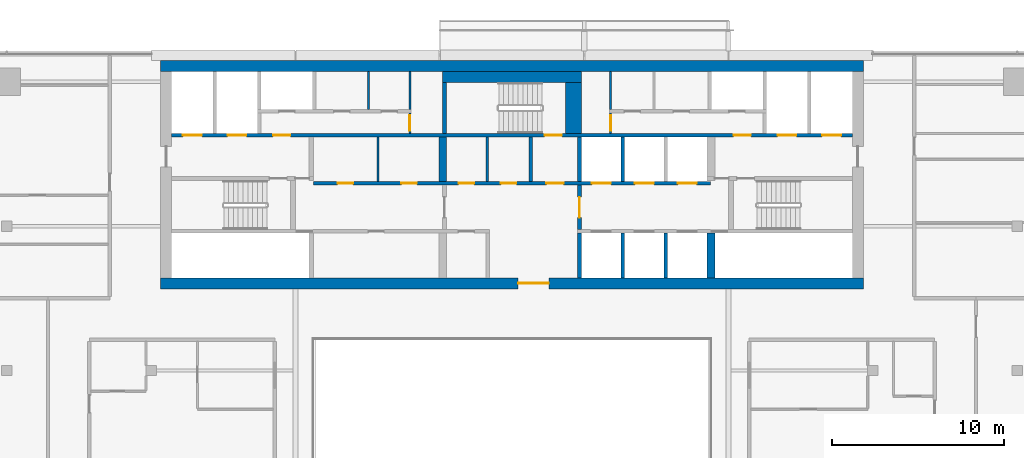
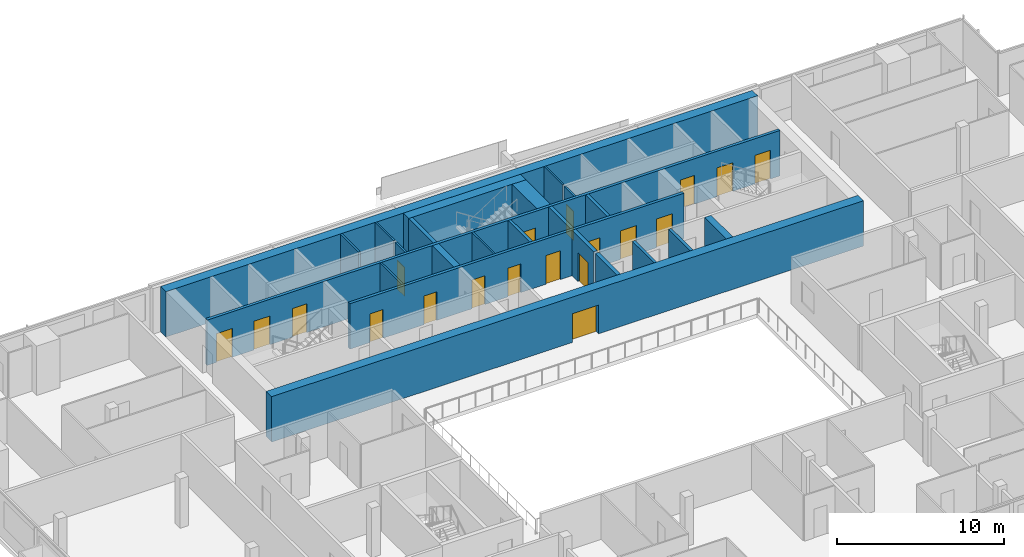
# One storey, part 22 of 27: 23 walls, 19 doors, 19 openings.
"""IFC4 building model written with IfcOpenShell, lengths in metres."""

from ifc_helpers import new_model, si_unit, direction, frame, frame_2d, origin, place, context, subcontext, project, spatial, rectangle, extrude, material, layer, layer_set, type_object, element, fill, save


model = new_model("IFC4")

# Units and contexts
model_context = context("Model", 3, precision=1e-05, world=origin(), true_north=direction((0.0, 1.0)))
body_context = subcontext(model_context, "Body", "Model", "MODEL_VIEW")
ifc_project = project(units=[si_unit("LENGTHUNIT", "METRE"), si_unit("AREAUNIT", "SQUARE_METRE"), si_unit("VOLUMEUNIT", "CUBIC_METRE"), si_unit("PLANEANGLEUNIT", "RADIAN"), si_unit("MASSUNIT", "GRAM", prefix="KILO")], contexts=[model_context])

# Site, building, storey
site_placement = place(None, origin())
site = spatial("IfcSite", under=ifc_project, at=site_placement, CompositionType="ELEMENT")
building_placement = place(site_placement, origin())
building = spatial("IfcBuilding", under=site, at=building_placement, Name="Saffron Gate Tower", CompositionType="ELEMENT")
storey_placement = place(building_placement, frame((0.0, 0.0, 209.10009765625)))
storey = spatial("IfcBuildingStorey", under=building, at=storey_placement, Name="L50", CompositionType="ELEMENT", Elevation=209.10009765625)

# Walls
ifc_material_1 = material(Name="Gypsum board partition on steel studs", Category="steel")
ifc_layer_1 = layer(ifc_material_1, 0.199951171875)
ifc_layer_set_1 = layer_set([ifc_layer_1], Name="CW10 Core partition 200")
wall_type_1 = type_object("IfcWallType", Name="CW10 Core partition 200", PredefinedType="PARTITIONING", material=ifc_layer_set_1)
wall_1_placement = place(storey_placement, frame((88.699951171875, 68.0, 0.0), z_axis=(0.0, 0.0, 1.0), x_axis=(0.0, 1.0, 0.0)))
element("IfcWall", 1, at=wall_1_placement, inside=storey, type_object=wall_type_1, Name="Wall CW10-L50-22", PredefinedType="PARTITIONING", context=body_context, shape_type="SweptSolid", body=[
    extrude(rectangle(XDim=2.60009765625, YDim=0.199951171875, at=frame_2d((1.300048828125, 0.0))), origin(), (0.0, 0.0, 1.0), 3.31982421875),
])
ifc_material_2 = material(Name="Concrete C60", Category="concrete")
ifc_layer_2 = layer(ifc_material_2, 0.25)
ifc_layer_set_2 = layer_set([ifc_layer_2], Name="CW14 RC core wall 250 C60")
wall_type_2 = type_object("IfcWallType", Name="CW14 RC core wall 250 C60", PredefinedType="SOLIDWALL", material=ifc_layer_set_2)
wall_2_placement = place(storey_placement, frame((91.52490234375, 62.39990234375, 0.0), z_axis=(0.0, 0.0, 1.0), x_axis=(0.0, 1.0, 0.0)))
element("IfcWall", 2, at=wall_2_placement, inside=storey, type_object=wall_type_2, Name="Wall CW14-L50-8", PredefinedType="SOLIDWALL", context=body_context, shape_type="SweptSolid", body=[
    extrude(rectangle(XDim=2.60009765625, YDim=0.25, at=frame_2d((1.300048828125, 0.0))), origin(), (0.0, 0.0, 1.0), 3.31982421875),
])

# Wall, opening, door
wall_3_placement = place(storey_placement, frame((91.52490234375, 65.199951171875, 0.0), z_axis=(0.0, 0.0, 1.0), x_axis=(0.0, 1.0, 0.0)))
wall_3 = element("IfcWall", 3, at=wall_3_placement, inside=storey, type_object=wall_type_2, Name="Wall CW14-L50-16", PredefinedType="SOLIDWALL", context=body_context, shape_type="SweptSolid", body=[
    extrude(rectangle(XDim=2.60009765625, YDim=0.25, at=frame_2d((1.300048828125, 0.0))), origin(), (0.0, 0.0, 1.0), 3.31982421875),
])
opening_1_placement = place(wall_3_placement, frame((0.699951171875, 0.0, 0.0)))
opening_1 = element("IfcOpeningElement", 4, at=opening_1_placement, cuts=wall_3, Name="Opening CR-01", PredefinedType="OPENING", context=body_context, shape_type="SweptSolid", body=[
    extrude(rectangle(XDim=1.199951171875, YDim=2.10009765625, at=frame_2d((0.60009765625, 1.050048828125))), frame((0.0, 0.135009765625, 0.0), z_axis=(0.0, -1.0, 0.0), x_axis=(1.0, 0.0, 0.0)), (0.0, 0.0, 1.0), 0.27001953125),
])
ifc_material_3 = material(Name="Steel fire door set", Category="steel")
door_type_1 = type_object("IfcDoorType", Name="CD3 Lobby door 1200x2100 EI 120", OperationType="NOTDEFINED", PredefinedType="DOOR", material=ifc_material_3)
door_1_placement = place(opening_1_placement, origin())
door_1 = element("IfcDoor", 5, at=door_1_placement, inside=storey, type_object=door_type_1, Name="DOOR CR-01", OperationType="SINGLE_SWING_RIGHT", OverallHeight=2.10009765625, OverallWidth=1.199951171875, PredefinedType="DOOR", context=body_context, shape_type="SweptSolid", body=[
    extrude(rectangle(XDim=1.199951171875, YDim=2.10009765625, at=frame_2d((0.60009765625, 1.050048828125))), frame((0.0, 0.02490234375, 0.0), z_axis=(0.0, -1.0, 0.0), x_axis=(1.0, 0.0, 0.0)), (0.0, 0.0, 1.0), 0.050048828125),
])
fill(opening_1, door_1)

# Walls
wall_4_placement = place(storey_placement, frame((91.52490234375, 68.0, 0.0), z_axis=(0.0, 0.0, 1.0), x_axis=(0.0, 1.0, 0.0)))
element("IfcWall", 6, at=wall_4_placement, inside=storey, type_object=wall_type_2, Name="Wall CW14-L50-23", PredefinedType="SOLIDWALL", context=body_context, shape_type="SweptSolid", body=[
    extrude(rectangle(XDim=2.60009765625, YDim=0.25, at=frame_2d((1.300048828125, 0.0))), origin(), (0.0, 0.0, 1.0), 3.31982421875),
])
wall_5_placement = place(storey_placement, frame((83.675048828125, 70.800048828125, 0.0), z_axis=(0.0, 0.0, 1.0), x_axis=(0.0, 1.0, 0.0)))
element("IfcWall", 7, at=wall_5_placement, inside=storey, type_object=wall_type_2, Name="Wall CW14-L50-35", PredefinedType="SOLIDWALL", context=body_context, shape_type="SweptSolid", body=[
    extrude(rectangle(XDim=2.949951171875, YDim=0.25, at=frame_2d((1.47509765625, 0.0))), origin(), (0.0, 0.0, 1.0), 3.31982421875),
])
ifc_layer_3 = layer(ifc_material_2, 0.199951171875)
ifc_layer_set_3 = layer_set([ifc_layer_3], Name="CW15 RC core wall 200 C60")
wall_type_3 = type_object("IfcWallType", Name="CW15 RC core wall 200 C60", PredefinedType="SOLIDWALL", material=ifc_layer_set_3)
for number, where, z_axis, x_axis, name in (
    (8, (94.050048828125, 62.39990234375, 0.0), (0.0, 0.0, 1.0), (0.0, 1.0, 0.0), "Wall CW15-L50-9"),
    (9, (96.550048828125, 62.39990234375, 0.0), (0.0, 0.0, 1.0), (0.0, 1.0, 0.0), "Wall CW15-L50-10"),
):
    element("IfcWall", number, at=place(storey_placement, frame(where, z_axis=z_axis, x_axis=x_axis)), inside=storey, type_object=wall_type_3, Name=name, PredefinedType="SOLIDWALL", context=body_context, shape_type="SweptSolid", body=[
        extrude(rectangle(XDim=2.60009765625, YDim=0.199951171875, at=frame_2d((1.300048828125, 0.0))), origin(), (0.0, 0.0, 1.0), 3.31982421875),
    ])

# Wall, openings, doors
wall_6_placement = place(storey_placement, frame((76.050048828125, 67.89990234375, 0.0), z_axis=(0.0, 0.0, 1.0), x_axis=(1.0, 0.0, 0.0)))
wall_6 = element("IfcWall", 10, at=wall_6_placement, inside=storey, type_object=wall_type_3, Name="Wall CW15-L50-18", PredefinedType="SOLIDWALL", context=body_context, shape_type="SweptSolid", body=[
    extrude(rectangle(XDim=23.099853515625, YDim=0.199951171875, at=frame_2d((11.5498046875, 0.0))), origin(), (0.0, 0.0, 1.0), 3.31982421875),
])
opening_2_placement = place(wall_6_placement, frame((1.39990234375, 0.0, 0.0)))
opening_2 = element("IfcOpeningElement", 11, at=opening_2_placement, cuts=wall_6, Name="Opening CR-61", PredefinedType="OPENING", context=body_context, shape_type="SweptSolid", body=[
    extrude(rectangle(XDim=0.89990234375, YDim=2.10009765625, at=frame_2d((0.449951171875, 1.050048828125))), frame((0.0, 0.10986328125, 0.0), z_axis=(0.0, -1.0, 0.0), x_axis=(1.0, 0.0, 0.0)), (0.0, 0.0, 1.0), 0.219970703125),
])
opening_3_placement = place(wall_6_placement, frame((5.110107421875, 0.0, 0.0)))
opening_3 = element("IfcOpeningElement", 12, at=opening_3_placement, cuts=wall_6, Name="Opening CR-62", PredefinedType="OPENING", context=body_context, shape_type="SweptSolid", body=[
    extrude(rectangle(XDim=0.89990234375, YDim=2.10009765625, at=frame_2d((0.449951171875, 1.050048828125))), frame((0.0, 0.10986328125, 0.0), z_axis=(0.0, -1.0, 0.0), x_axis=(1.0, 0.0, 0.0)), (0.0, 0.0, 1.0), 0.219970703125),
])
opening_4_placement = place(wall_6_placement, frame((8.449951171875, 0.0, 0.0)))
opening_4 = element("IfcOpeningElement", 13, at=opening_4_placement, cuts=wall_6, Name="Opening CR-67", PredefinedType="OPENING", context=body_context, shape_type="SweptSolid", body=[
    extrude(rectangle(XDim=0.89990234375, YDim=2.10009765625, at=frame_2d((0.449951171875, 1.050048828125))), frame((0.0, 0.10986328125, 0.0), z_axis=(0.0, -1.0, 0.0), x_axis=(1.0, 0.0, 0.0)), (0.0, 0.0, 1.0), 0.219970703125),
])
opening_5_placement = place(wall_6_placement, frame((10.909912109375, 0.0, 0.0)))
opening_5 = element("IfcOpeningElement", 14, at=opening_5_placement, cuts=wall_6, Name="Opening CR-68", PredefinedType="OPENING", context=body_context, shape_type="SweptSolid", body=[
    extrude(rectangle(XDim=0.89990234375, YDim=2.10009765625, at=frame_2d((0.449951171875, 1.050048828125))), frame((0.0, 0.10986328125, 0.0), z_axis=(0.0, -1.0, 0.0), x_axis=(1.0, 0.0, 0.0)), (0.0, 0.0, 1.0), 0.219970703125),
])
opening_6_placement = place(wall_6_placement, frame((13.550048828125, 0.0, 0.0)))
opening_6 = element("IfcOpeningElement", 15, at=opening_6_placement, cuts=wall_6, Name="Opening CR-02", PredefinedType="OPENING", context=body_context, shape_type="SweptSolid", body=[
    extrude(rectangle(XDim=1.0, YDim=2.10009765625, at=frame_2d((0.5, 1.050048828125))), frame((0.0, 0.10986328125, 0.0), z_axis=(0.0, -1.0, 0.0), x_axis=(1.0, 0.0, 0.0)), (0.0, 0.0, 1.0), 0.219970703125),
])
opening_7_placement = place(wall_6_placement, frame((16.199951171875, 0.0, 0.0)))
opening_7 = element("IfcOpeningElement", 16, at=opening_7_placement, cuts=wall_6, Name="Opening LD-HR4", PredefinedType="OPENING", context=body_context, shape_type="SweptSolid", body=[
    extrude(rectangle(XDim=1.10009765625, YDim=2.10009765625, at=frame_2d((0.550048828125, 1.050048828125))), frame((0.0, 0.10986328125, 0.0), z_axis=(0.0, -1.0, 0.0), x_axis=(1.0, 0.0, 0.0)), (0.0, 0.0, 1.0), 0.219970703125),
])
opening_8_placement = place(wall_6_placement, frame((18.699951171875, 0.0, 0.0)))
opening_8 = element("IfcOpeningElement", 17, at=opening_8_placement, cuts=wall_6, Name="Opening LD-HR5", PredefinedType="OPENING", context=body_context, shape_type="SweptSolid", body=[
    extrude(rectangle(XDim=1.10009765625, YDim=2.10009765625, at=frame_2d((0.550048828125, 1.050048828125))), frame((0.0, 0.10986328125, 0.0), z_axis=(0.0, -1.0, 0.0), x_axis=(1.0, 0.0, 0.0)), (0.0, 0.0, 1.0), 0.219970703125),
])
opening_9_placement = place(wall_6_placement, frame((21.199951171875, 0.0, 0.0)))
opening_9 = element("IfcOpeningElement", 18, at=opening_9_placement, cuts=wall_6, Name="Opening LD-HR6", PredefinedType="OPENING", context=body_context, shape_type="SweptSolid", body=[
    extrude(rectangle(XDim=1.10009765625, YDim=2.10009765625, at=frame_2d((0.550048828125, 1.050048828125))), frame((0.0, 0.10986328125, 0.0), z_axis=(0.0, -1.0, 0.0), x_axis=(1.0, 0.0, 0.0)), (0.0, 0.0, 1.0), 0.219970703125),
])
door_type_2 = type_object("IfcDoorType", Name="CD4 Lobby door 1000x2100 EI 120", OperationType="NOTDEFINED", PredefinedType="DOOR", material=ifc_material_3)
door_2_placement = place(opening_6_placement, origin())
door_2 = element("IfcDoor", 19, at=door_2_placement, inside=storey, type_object=door_type_2, Name="DOOR CR-02", OperationType="SINGLE_SWING_LEFT", OverallHeight=2.10009765625, OverallWidth=1.0, PredefinedType="DOOR", context=body_context, shape_type="SweptSolid", body=[
    extrude(rectangle(XDim=1.0, YDim=2.10009765625, at=frame_2d((0.5, 1.050048828125))), frame((0.0, 0.02490234375, 0.0), z_axis=(0.0, -1.0, 0.0), x_axis=(1.0, 0.0, 0.0)), (0.0, 0.0, 1.0), 0.050048828125),
])
fill(opening_6, door_2)
door_type_3 = type_object("IfcDoorType", Name="CD9 Room door 900x2100 EI 60", OperationType="NOTDEFINED", PredefinedType="DOOR", material=ifc_material_3)
door_3_placement = place(opening_2_placement, origin())
door_3 = element("IfcDoor", 20, at=door_3_placement, inside=storey, type_object=door_type_3, Name="DOOR CR-61", OperationType="SINGLE_SWING_LEFT", OverallHeight=2.10009765625, OverallWidth=0.89990234375, PredefinedType="DOOR", context=body_context, shape_type="SweptSolid", body=[
    extrude(rectangle(XDim=0.89990234375, YDim=2.10009765625, at=frame_2d((0.449951171875, 1.050048828125))), frame((0.0, 0.02490234375, 0.0), z_axis=(0.0, -1.0, 0.0), x_axis=(1.0, 0.0, 0.0)), (0.0, 0.0, 1.0), 0.050048828125),
])
fill(opening_2, door_3)
door_4_placement = place(opening_3_placement, origin())
door_4 = element("IfcDoor", 21, at=door_4_placement, inside=storey, type_object=door_type_3, Name="DOOR CR-62", OperationType="SINGLE_SWING_LEFT", OverallHeight=2.10009765625, OverallWidth=0.89990234375, PredefinedType="DOOR", context=body_context, shape_type="SweptSolid", body=[
    extrude(rectangle(XDim=0.89990234375, YDim=2.10009765625, at=frame_2d((0.449951171875, 1.050048828125))), frame((0.0, 0.02490234375, 0.0), z_axis=(0.0, -1.0, 0.0), x_axis=(1.0, 0.0, 0.0)), (0.0, 0.0, 1.0), 0.050048828125),
])
fill(opening_3, door_4)
door_5_placement = place(opening_4_placement, origin())
door_5 = element("IfcDoor", 22, at=door_5_placement, inside=storey, type_object=door_type_3, Name="DOOR CR-67", OperationType="SINGLE_SWING_LEFT", OverallHeight=2.10009765625, OverallWidth=0.89990234375, PredefinedType="DOOR", context=body_context, shape_type="SweptSolid", body=[
    extrude(rectangle(XDim=0.89990234375, YDim=2.10009765625, at=frame_2d((0.449951171875, 1.050048828125))), frame((0.0, 0.02490234375, 0.0), z_axis=(0.0, -1.0, 0.0), x_axis=(1.0, 0.0, 0.0)), (0.0, 0.0, 1.0), 0.050048828125),
])
fill(opening_4, door_5)
door_6_placement = place(opening_5_placement, origin())
door_6 = element("IfcDoor", 23, at=door_6_placement, inside=storey, type_object=door_type_3, Name="DOOR CR-68", OperationType="SINGLE_SWING_LEFT", OverallHeight=2.10009765625, OverallWidth=0.89990234375, PredefinedType="DOOR", context=body_context, shape_type="SweptSolid", body=[
    extrude(rectangle(XDim=0.89990234375, YDim=2.10009765625, at=frame_2d((0.449951171875, 1.050048828125))), frame((0.0, 0.02490234375, 0.0), z_axis=(0.0, -1.0, 0.0), x_axis=(1.0, 0.0, 0.0)), (0.0, 0.0, 1.0), 0.050048828125),
])
fill(opening_5, door_6)
ifc_material_4 = material(Name="Stainless steel landing door", Category="steel")
door_type_4 = type_object("IfcDoorType", Name="LD Lift landing door 1100x2100 EI 120", OperationType="SLIDING_TO_LEFT", PredefinedType="DOOR", material=ifc_material_4)
door_7_placement = place(opening_7_placement, origin())
door_7 = element("IfcDoor", 24, at=door_7_placement, inside=storey, type_object=door_type_4, Name="LANDING DOOR LD-HR4", OperationType="SLIDING_TO_RIGHT", OverallHeight=2.10009765625, OverallWidth=1.10009765625, PredefinedType="DOOR", context=body_context, shape_type="SweptSolid", body=[
    extrude(rectangle(XDim=1.10009765625, YDim=2.10009765625, at=frame_2d((0.550048828125, 1.050048828125))), frame((0.0, 0.02490234375, 0.0), z_axis=(0.0, -1.0, 0.0), x_axis=(1.0, 0.0, 0.0)), (0.0, 0.0, 1.0), 0.050048828125),
])
fill(opening_7, door_7)
door_8_placement = place(opening_8_placement, origin())
door_8 = element("IfcDoor", 25, at=door_8_placement, inside=storey, type_object=door_type_4, Name="LANDING DOOR LD-HR5", OperationType="SLIDING_TO_RIGHT", OverallHeight=2.10009765625, OverallWidth=1.10009765625, PredefinedType="DOOR", context=body_context, shape_type="SweptSolid", body=[
    extrude(rectangle(XDim=1.10009765625, YDim=2.10009765625, at=frame_2d((0.550048828125, 1.050048828125))), frame((0.0, 0.02490234375, 0.0), z_axis=(0.0, -1.0, 0.0), x_axis=(1.0, 0.0, 0.0)), (0.0, 0.0, 1.0), 0.050048828125),
])
fill(opening_8, door_8)
door_9_placement = place(opening_9_placement, origin())
door_9 = element("IfcDoor", 26, at=door_9_placement, inside=storey, type_object=door_type_4, Name="LANDING DOOR LD-HR6", OperationType="SLIDING_TO_RIGHT", OverallHeight=2.10009765625, OverallWidth=1.10009765625, PredefinedType="DOOR", context=body_context, shape_type="SweptSolid", body=[
    extrude(rectangle(XDim=1.10009765625, YDim=2.10009765625, at=frame_2d((0.550048828125, 1.050048828125))), frame((0.0, 0.02490234375, 0.0), z_axis=(0.0, -1.0, 0.0), x_axis=(1.0, 0.0, 0.0)), (0.0, 0.0, 1.0), 0.050048828125),
])
fill(opening_9, door_9)

# Wall
wall_7_placement = place(storey_placement, frame((94.050048828125, 68.0, 0.0), z_axis=(0.0, 0.0, 1.0), x_axis=(0.0, 1.0, 0.0)))
element("IfcWall", 27, at=wall_7_placement, inside=storey, type_object=wall_type_3, Name="Wall CW15-L50-24", PredefinedType="SOLIDWALL", context=body_context, shape_type="SweptSolid", body=[
    extrude(rectangle(XDim=2.60009765625, YDim=0.199951171875, at=frame_2d((1.300048828125, 0.0))), origin(), (0.0, 0.0, 1.0), 3.31982421875),
])

# Wall, openings, doors
wall_8_placement = place(storey_placement, frame((67.800048828125, 70.699951171875, 0.0), z_axis=(0.0, 0.0, 1.0), x_axis=(1.0, 0.0, 0.0)))
wall_8 = element("IfcWall", 28, at=wall_8_placement, inside=storey, type_object=wall_type_3, Name="Wall CW15-L50-31", PredefinedType="SOLIDWALL", context=body_context, shape_type="SweptSolid", body=[
    extrude(rectangle(XDim=39.599853515625, YDim=0.199951171875, at=frame_2d((19.7998046875, 0.0))), origin(), (0.0, 0.0, 1.0), 3.31982421875),
])
opening_10_placement = place(wall_8_placement, frame((0.64990234375, 0.0, 0.0)))
opening_10 = element("IfcOpeningElement", 29, at=opening_10_placement, cuts=wall_8, Name="Opening LD-FF1", PredefinedType="OPENING", context=body_context, shape_type="SweptSolid", body=[
    extrude(rectangle(XDim=1.10009765625, YDim=2.10009765625, at=frame_2d((0.550048828125, 1.050048828125))), frame((0.0, 0.10986328125, 0.0), z_axis=(0.0, -1.0, 0.0), x_axis=(1.0, 0.0, 0.0)), (0.0, 0.0, 1.0), 0.219970703125),
])
opening_11_placement = place(wall_8_placement, frame((3.25, 0.0, 0.0)))
opening_11 = element("IfcOpeningElement", 30, at=opening_11_placement, cuts=wall_8, Name="Opening LD-SV1", PredefinedType="OPENING", context=body_context, shape_type="SweptSolid", body=[
    extrude(rectangle(XDim=1.10009765625, YDim=2.10009765625, at=frame_2d((0.550048828125, 1.050048828125))), frame((0.0, 0.10986328125, 0.0), z_axis=(0.0, -1.0, 0.0), x_axis=(1.0, 0.0, 0.0)), (0.0, 0.0, 1.0), 0.219970703125),
])
opening_12_placement = place(wall_8_placement, frame((5.89990234375, 0.0, 0.0)))
opening_12 = element("IfcOpeningElement", 31, at=opening_12_placement, cuts=wall_8, Name="Opening CR-03", PredefinedType="OPENING", context=body_context, shape_type="SweptSolid", body=[
    extrude(rectangle(XDim=1.0, YDim=2.10009765625, at=frame_2d((0.5, 1.050048828125))), frame((0.0, 0.10986328125, 0.0), z_axis=(0.0, -1.0, 0.0), x_axis=(1.0, 0.0, 0.0)), (0.0, 0.0, 1.0), 0.219970703125),
])
opening_13_placement = place(wall_8_placement, frame((21.699951171875, 0.0, 0.0)))
opening_13 = element("IfcOpeningElement", 32, at=opening_13_placement, cuts=wall_8, Name="Opening CR-17", PredefinedType="OPENING", context=body_context, shape_type="SweptSolid", body=[
    extrude(rectangle(XDim=1.0, YDim=2.10009765625, at=frame_2d((0.5, 1.050048828125))), frame((0.0, 0.10986328125, 0.0), z_axis=(0.0, -1.0, 0.0), x_axis=(1.0, 0.0, 0.0)), (0.0, 0.0, 1.0), 0.219970703125),
])
opening_14_placement = place(wall_8_placement, frame((32.699951171875, 0.0, 0.0)))
opening_14 = element("IfcOpeningElement", 33, at=opening_14_placement, cuts=wall_8, Name="Opening CR-04", PredefinedType="OPENING", context=body_context, shape_type="SweptSolid", body=[
    extrude(rectangle(XDim=1.0, YDim=2.10009765625, at=frame_2d((0.5, 1.050048828125))), frame((0.0, 0.10986328125, 0.0), z_axis=(0.0, -1.0, 0.0), x_axis=(1.0, 0.0, 0.0)), (0.0, 0.0, 1.0), 0.219970703125),
])
opening_15_placement = place(wall_8_placement, frame((35.25, 0.0, 0.0)))
opening_15 = element("IfcOpeningElement", 34, at=opening_15_placement, cuts=wall_8, Name="Opening LD-SV2", PredefinedType="OPENING", context=body_context, shape_type="SweptSolid", body=[
    extrude(rectangle(XDim=1.10009765625, YDim=2.10009765625, at=frame_2d((0.550048828125, 1.050048828125))), frame((0.0, 0.10986328125, 0.0), z_axis=(0.0, -1.0, 0.0), x_axis=(1.0, 0.0, 0.0)), (0.0, 0.0, 1.0), 0.219970703125),
])
opening_16_placement = place(wall_8_placement, frame((37.85009765625, 0.0, 0.0)))
opening_16 = element("IfcOpeningElement", 35, at=opening_16_placement, cuts=wall_8, Name="Opening LD-FF2", PredefinedType="OPENING", context=body_context, shape_type="SweptSolid", body=[
    extrude(rectangle(XDim=1.10009765625, YDim=2.10009765625, at=frame_2d((0.550048828125, 1.050048828125))), frame((0.0, 0.10986328125, 0.0), z_axis=(0.0, -1.0, 0.0), x_axis=(1.0, 0.0, 0.0)), (0.0, 0.0, 1.0), 0.219970703125),
])
door_10_placement = place(opening_12_placement, origin())
door_10 = element("IfcDoor", 36, at=door_10_placement, inside=storey, type_object=door_type_2, Name="DOOR CR-03", OperationType="SINGLE_SWING_LEFT", OverallHeight=2.10009765625, OverallWidth=1.0, PredefinedType="DOOR", context=body_context, shape_type="SweptSolid", body=[
    extrude(rectangle(XDim=1.0, YDim=2.10009765625, at=frame_2d((0.5, 1.050048828125))), frame((0.0, 0.02490234375, 0.0), z_axis=(0.0, -1.0, 0.0), x_axis=(1.0, 0.0, 0.0)), (0.0, 0.0, 1.0), 0.050048828125),
])
fill(opening_12, door_10)
door_11_placement = place(opening_14_placement, origin())
door_11 = element("IfcDoor", 37, at=door_11_placement, inside=storey, type_object=door_type_2, Name="DOOR CR-04", OperationType="SINGLE_SWING_RIGHT", OverallHeight=2.10009765625, OverallWidth=1.0, PredefinedType="DOOR", context=body_context, shape_type="SweptSolid", body=[
    extrude(rectangle(XDim=1.0, YDim=2.10009765625, at=frame_2d((0.5, 1.050048828125))), frame((0.0, 0.02490234375, 0.0), z_axis=(0.0, -1.0, 0.0), x_axis=(1.0, 0.0, 0.0)), (0.0, 0.0, 1.0), 0.050048828125),
])
fill(opening_14, door_11)
door_type_5 = type_object("IfcDoorType", Name="CD5 Stair door 1000x2100 EI 120", OperationType="NOTDEFINED", PredefinedType="DOOR", material=ifc_material_3)
door_12_placement = place(opening_13_placement, origin())
door_12 = element("IfcDoor", 38, at=door_12_placement, inside=storey, type_object=door_type_5, Name="DOOR CR-17", OperationType="SINGLE_SWING_RIGHT", OverallHeight=2.10009765625, OverallWidth=1.0, PredefinedType="DOOR", context=body_context, shape_type="SweptSolid", body=[
    extrude(rectangle(XDim=1.0, YDim=2.10009765625, at=frame_2d((0.5, 1.050048828125))), frame((0.0, 0.02490234375, 0.0), z_axis=(0.0, -1.0, 0.0), x_axis=(1.0, 0.0, 0.0)), (0.0, 0.0, 1.0), 0.050048828125),
])
fill(opening_13, door_12)
door_13_placement = place(opening_10_placement, origin())
door_13 = element("IfcDoor", 39, at=door_13_placement, inside=storey, type_object=door_type_4, Name="LANDING DOOR LD-FF1", OperationType="SLIDING_TO_RIGHT", OverallHeight=2.10009765625, OverallWidth=1.10009765625, PredefinedType="DOOR", context=body_context, shape_type="SweptSolid", body=[
    extrude(rectangle(XDim=1.10009765625, YDim=2.10009765625, at=frame_2d((0.550048828125, 1.050048828125))), frame((0.0, 0.02490234375, 0.0), z_axis=(0.0, -1.0, 0.0), x_axis=(1.0, 0.0, 0.0)), (0.0, 0.0, 1.0), 0.050048828125),
])
fill(opening_10, door_13)
door_14_placement = place(opening_11_placement, origin())
door_14 = element("IfcDoor", 40, at=door_14_placement, inside=storey, type_object=door_type_4, Name="LANDING DOOR LD-SV1", OperationType="SLIDING_TO_RIGHT", OverallHeight=2.10009765625, OverallWidth=1.10009765625, PredefinedType="DOOR", context=body_context, shape_type="SweptSolid", body=[
    extrude(rectangle(XDim=1.10009765625, YDim=2.10009765625, at=frame_2d((0.550048828125, 1.050048828125))), frame((0.0, 0.02490234375, 0.0), z_axis=(0.0, -1.0, 0.0), x_axis=(1.0, 0.0, 0.0)), (0.0, 0.0, 1.0), 0.050048828125),
])
fill(opening_11, door_14)
door_15_placement = place(opening_15_placement, origin())
door_15 = element("IfcDoor", 41, at=door_15_placement, inside=storey, type_object=door_type_4, Name="LANDING DOOR LD-SV2", OperationType="SLIDING_TO_RIGHT", OverallHeight=2.10009765625, OverallWidth=1.10009765625, PredefinedType="DOOR", context=body_context, shape_type="SweptSolid", body=[
    extrude(rectangle(XDim=1.10009765625, YDim=2.10009765625, at=frame_2d((0.550048828125, 1.050048828125))), frame((0.0, 0.02490234375, 0.0), z_axis=(0.0, -1.0, 0.0), x_axis=(1.0, 0.0, 0.0)), (0.0, 0.0, 1.0), 0.050048828125),
])
fill(opening_15, door_15)
door_16_placement = place(opening_16_placement, origin())
door_16 = element("IfcDoor", 42, at=door_16_placement, inside=storey, type_object=door_type_4, Name="LANDING DOOR LD-FF2", OperationType="SLIDING_TO_RIGHT", OverallHeight=2.10009765625, OverallWidth=1.10009765625, PredefinedType="DOOR", context=body_context, shape_type="SweptSolid", body=[
    extrude(rectangle(XDim=1.10009765625, YDim=2.10009765625, at=frame_2d((0.550048828125, 1.050048828125))), frame((0.0, 0.02490234375, 0.0), z_axis=(0.0, -1.0, 0.0), x_axis=(1.0, 0.0, 0.0)), (0.0, 0.0, 1.0), 0.050048828125),
])
fill(opening_16, door_16)

# Walls
ifc_layer_4 = layer(ifc_material_2, 0.449951171875)
ifc_layer_set_4 = layer_set([ifc_layer_4], Name="CW16 RC core wall 450 C60")
wall_type_4 = type_object("IfcWallType", Name="CW16 RC core wall 450 C60", PredefinedType="SOLIDWALL", material=ifc_layer_set_4)
for number, where, z_axis, x_axis, name in (
    (43, (99.175048828125, 62.39990234375, 0.0), (0.0, 0.0, 1.0), (0.0, 1.0, 0.0), "Wall CW16-L50-11"),
    (44, (83.574951171875, 68.0, 0.0), (0.0, 0.0, 1.0), (0.0, 1.0, 0.0), "Wall CW16-L50-20"),
):
    element("IfcWall", number, at=place(storey_placement, frame(where, z_axis=z_axis, x_axis=x_axis)), inside=storey, type_object=wall_type_4, Name=name, PredefinedType="SOLIDWALL", context=body_context, shape_type="SweptSolid", body=[
        extrude(rectangle(XDim=2.60009765625, YDim=0.449951171875, at=frame_2d((1.300048828125, 0.0))), origin(), (0.0, 0.0, 1.0), 3.31982421875),
    ])
ifc_layer_5 = layer(ifc_material_2, 0.949951171875)
ifc_layer_set_5 = layer_set([ifc_layer_5], Name="CW19 RC core wall 950 C60")
wall_type_5 = type_object("IfcWallType", Name="CW19 RC core wall 950 C60", PredefinedType="SOLIDWALL", material=ifc_layer_set_5)
wall_9_placement = place(storey_placement, frame((91.175048828125, 70.800048828125, 0.0), z_axis=(0.0, 0.0, 1.0), x_axis=(0.0, 1.0, 0.0)))
element("IfcWall", 45, at=wall_9_placement, inside=storey, type_object=wall_type_5, Name="Wall CW19-L50-36", PredefinedType="SOLIDWALL", context=body_context, shape_type="SweptSolid", body=[
    extrude(rectangle(XDim=2.949951171875, YDim=0.949951171875, at=frame_2d((1.47509765625, 0.0))), origin(), (0.0, 0.0, 1.0), 3.31982421875),
])

# Wall, opening, door
ifc_layer_6 = layer(ifc_material_2, 0.64990234375)
ifc_layer_set_6 = layer_set([ifc_layer_6], Name="CW20 RC core wall 650 C60")
wall_type_6 = type_object("IfcWallType", Name="CW20 RC core wall 650 C60", PredefinedType="SOLIDWALL", material=ifc_layer_set_6)
wall_10_placement = place(storey_placement, frame((67.14990234375, 62.074951171875, 0.0), z_axis=(0.0, 0.0, 1.0), x_axis=(1.0, 0.0, 0.0)))
wall_10 = element("IfcWall", 46, at=wall_10_placement, inside=storey, type_object=wall_type_6, Name="Wall CW20-L50-1", PredefinedType="SOLIDWALL", context=body_context, shape_type="SweptSolid", body=[
    extrude(rectangle(XDim=40.900146484375, YDim=0.64990234375, at=frame_2d((20.4501953125, 0.0))), origin(), (0.0, 0.0, 1.0), 3.31982421875),
])
opening_17_placement = place(wall_10_placement, frame((20.800048828125, 0.0, 0.0)))
opening_17 = element("IfcOpeningElement", 47, at=opening_17_placement, cuts=wall_10, Name="Opening CR-09", PredefinedType="OPENING", context=body_context, shape_type="SweptSolid", body=[
    extrude(rectangle(XDim=1.800048828125, YDim=2.10009765625, at=frame_2d((0.89990234375, 1.050048828125))), frame((0.0, 0.3349609375, 0.0), z_axis=(0.0, -1.0, 0.0), x_axis=(1.0, 0.0, 0.0)), (0.0, 0.0, 1.0), 0.669921875),
])
door_type_6 = type_object("IfcDoorType", Name="CD1 Core entrance door 1800x2100 EI 120", OperationType="NOTDEFINED", PredefinedType="DOOR", material=ifc_material_3)
door_17_placement = place(opening_17_placement, origin())
door_17 = element("IfcDoor", 48, at=door_17_placement, inside=storey, type_object=door_type_6, Name="DOOR CR-09", OperationType="DOUBLE_DOOR_SINGLE_SWING", OverallHeight=2.10009765625, OverallWidth=1.800048828125, PredefinedType="DOOR", context=body_context, shape_type="SweptSolid", body=[
    extrude(rectangle(XDim=1.800048828125, YDim=2.10009765625, at=frame_2d((0.89990234375, 1.050048828125))), frame((0.0, 0.02490234375, 0.0), z_axis=(0.0, -1.0, 0.0), x_axis=(1.0, 0.0, 0.0)), (0.0, 0.0, 1.0), 0.050048828125),
])
fill(opening_17, door_17)

# Walls
wall_11_placement = place(storey_placement, frame((67.14990234375, 74.72509765625, 0.0), z_axis=(0.0, 0.0, 1.0), x_axis=(1.0, 0.0, 0.0)))
element("IfcWall", 49, at=wall_11_placement, inside=storey, type_object=wall_type_6, Name="Wall CW20-L50-2", PredefinedType="SOLIDWALL", context=body_context, shape_type="SweptSolid", body=[
    extrude(rectangle(XDim=40.900146484375, YDim=0.64990234375, at=frame_2d((20.4501953125, 0.0))), origin(), (0.0, 0.0, 1.0), 3.31982421875),
])
wall_12_placement = place(storey_placement, frame((83.550048828125, 74.074951171875, 0.0), z_axis=(0.0, 0.0, 1.0), x_axis=(1.0, 0.0, 0.0)))
element("IfcWall", 50, at=wall_12_placement, inside=storey, type_object=wall_type_6, Name="Wall CW20-L50-50", PredefinedType="SOLIDWALL", context=body_context, shape_type="SweptSolid", body=[
    extrude(rectangle(XDim=8.099853515625, YDim=0.64990234375, at=frame_2d((4.0498046875, 0.0))), origin(), (0.0, 0.0, 1.0), 3.31982421875),
])
ifc_layer_7 = layer(ifc_material_1, 0.1201171875)
ifc_layer_set_7 = layer_set([ifc_layer_7], Name="CW8 Core partition 120")
wall_type_7 = type_object("IfcWallType", Name="CW8 Core partition 120", PredefinedType="PARTITIONING", material=ifc_layer_set_7)
for number, where, z_axis, x_axis, name in (
    (51, (79.81005859375, 68.0, 0.0), (0.0, 0.0, 1.0), (0.0, 1.0, 0.0), "Wall CW8-L50-19"),
    (52, (86.159912109375, 68.0, 0.0), (0.0, 0.0, 1.0), (0.0, 1.0, 0.0), "Wall CW8-L50-21"),
):
    element("IfcWall", number, at=place(storey_placement, frame(where, z_axis=z_axis, x_axis=x_axis)), inside=storey, type_object=wall_type_7, Name=name, PredefinedType="PARTITIONING", context=body_context, shape_type="SweptSolid", body=[
        extrude(rectangle(XDim=2.60009765625, YDim=0.1201171875, at=frame_2d((1.300048828125, 0.0))), origin(), (0.0, 0.0, 1.0), 3.31982421875),
    ])

# Wall, opening, door
wall_13_placement = place(storey_placement, frame((81.659912109375, 70.800048828125, 0.0), z_axis=(0.0, 0.0, 1.0), x_axis=(0.0, 1.0, 0.0)))
wall_13 = element("IfcWall", 53, at=wall_13_placement, inside=storey, type_object=wall_type_7, Name="Wall CW8-L50-34", PredefinedType="PARTITIONING", context=body_context, shape_type="SweptSolid", body=[
    extrude(rectangle(XDim=1.199951171875, YDim=0.1201171875, at=frame_2d((0.60009765625, 0.0))), origin(), (0.0, 0.0, 1.0), 3.31982421875),
])
opening_18_placement = place(wall_13_placement, frame((0.14990234375, 0.0, 0.0)))
opening_18 = element("IfcOpeningElement", 54, at=opening_18_placement, cuts=wall_13, Name="Opening CR-60", PredefinedType="OPENING", context=body_context, shape_type="SweptSolid", body=[
    extrude(rectangle(XDim=0.89990234375, YDim=2.10009765625, at=frame_2d((0.449951171875, 1.050048828125))), frame((0.0, 0.070068359375, 0.0), z_axis=(0.0, -1.0, 0.0), x_axis=(1.0, 0.0, 0.0)), (0.0, 0.0, 1.0), 0.14013671875),
])
door_18_placement = place(opening_18_placement, origin())
door_18 = element("IfcDoor", 55, at=door_18_placement, inside=storey, type_object=door_type_3, Name="DOOR CR-60", OperationType="SINGLE_SWING_RIGHT", OverallHeight=2.10009765625, OverallWidth=0.89990234375, PredefinedType="DOOR", context=body_context, shape_type="SweptSolid", body=[
    extrude(rectangle(XDim=0.89990234375, YDim=2.10009765625, at=frame_2d((0.449951171875, 1.050048828125))), frame((0.0, 0.02490234375, 0.0), z_axis=(0.0, -1.0, 0.0), x_axis=(1.0, 0.0, 0.0)), (0.0, 0.0, 1.0), 0.050048828125),
])
fill(opening_18, door_18)

wall_14_placement = place(storey_placement, frame((93.340087890625, 70.800048828125, 0.0), z_axis=(0.0, 0.0, 1.0), x_axis=(0.0, 1.0, 0.0)))
wall_14 = element("IfcWall", 56, at=wall_14_placement, inside=storey, type_object=wall_type_7, Name="Wall CW8-L50-37", PredefinedType="PARTITIONING", context=body_context, shape_type="SweptSolid", body=[
    extrude(rectangle(XDim=1.199951171875, YDim=0.1201171875, at=frame_2d((0.60009765625, 0.0))), origin(), (0.0, 0.0, 1.0), 3.31982421875),
])
opening_19_placement = place(wall_14_placement, frame((0.14990234375, 0.0, 0.0)))
opening_19 = element("IfcOpeningElement", 57, at=opening_19_placement, cuts=wall_14, Name="Opening CR-54", PredefinedType="OPENING", context=body_context, shape_type="SweptSolid", body=[
    extrude(rectangle(XDim=0.89990234375, YDim=2.10009765625, at=frame_2d((0.449951171875, 1.050048828125))), frame((0.0, 0.070068359375, 0.0), z_axis=(0.0, -1.0, 0.0), x_axis=(1.0, 0.0, 0.0)), (0.0, 0.0, 1.0), 0.14013671875),
])
door_19_placement = place(opening_19_placement, origin())
door_19 = element("IfcDoor", 58, at=door_19_placement, inside=storey, type_object=door_type_3, Name="DOOR CR-54", OperationType="SINGLE_SWING_LEFT", OverallHeight=2.10009765625, OverallWidth=0.89990234375, PredefinedType="DOOR", context=body_context, shape_type="SweptSolid", body=[
    extrude(rectangle(XDim=0.89990234375, YDim=2.10009765625, at=frame_2d((0.449951171875, 1.050048828125))), frame((0.0, 0.02490234375, 0.0), z_axis=(0.0, -1.0, 0.0), x_axis=(1.0, 0.0, 0.0)), (0.0, 0.0, 1.0), 0.050048828125),
])
fill(opening_19, door_19)

# Walls
for number, where, z_axis, x_axis, name in (
    (59, (79.260009765625, 72.199951171875, 0.0), (0.0, 0.0, 1.0), (0.0, 1.0, 0.0), "Wall CW8-L50-44"),
    (60, (81.659912109375, 72.199951171875, 0.0), (0.0, 0.0, 1.0), (0.0, 1.0, 0.0), "Wall CW8-L50-45"),
    (61, (93.340087890625, 72.199951171875, 0.0), (0.0, 0.0, 1.0), (0.0, 1.0, 0.0), "Wall CW8-L50-46"),
):
    element("IfcWall", number, at=place(storey_placement, frame(where, z_axis=z_axis, x_axis=x_axis)), inside=storey, type_object=wall_type_7, Name=name, PredefinedType="PARTITIONING", context=body_context, shape_type="SweptSolid", body=[
        extrude(rectangle(XDim=2.199951171875, YDim=0.1201171875, at=frame_2d((1.10009765625, 0.0))), origin(), (0.0, 0.0, 1.0), 3.31982421875),
    ])

save(model, "model.ifc")
